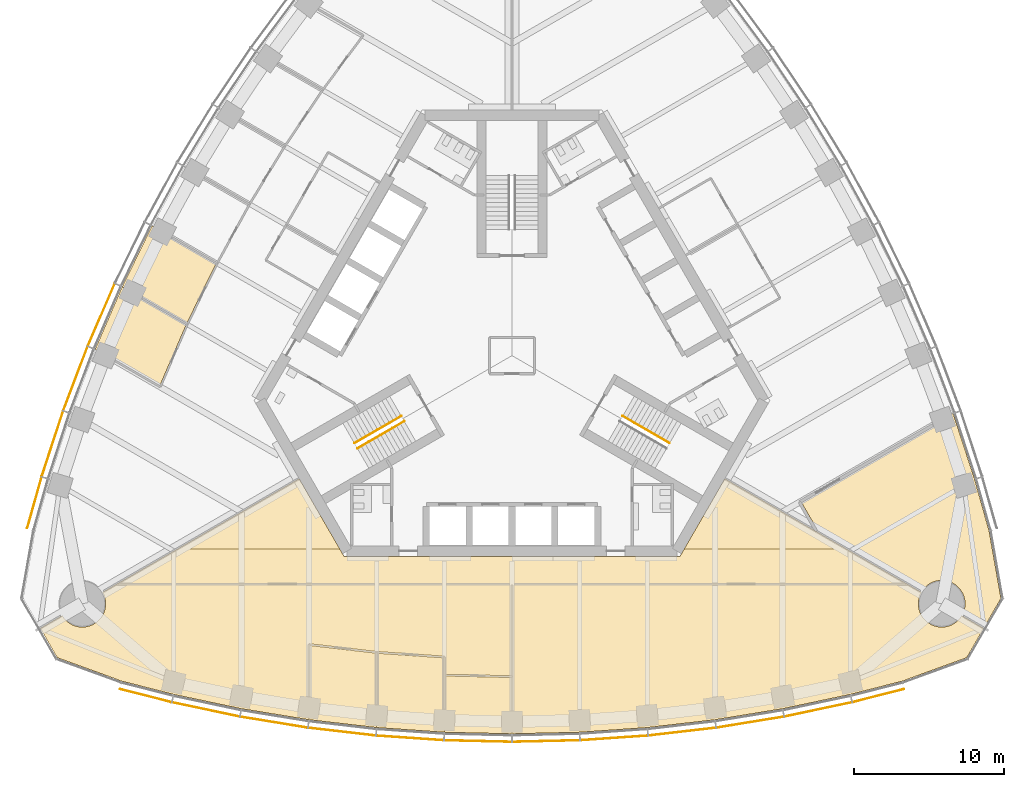
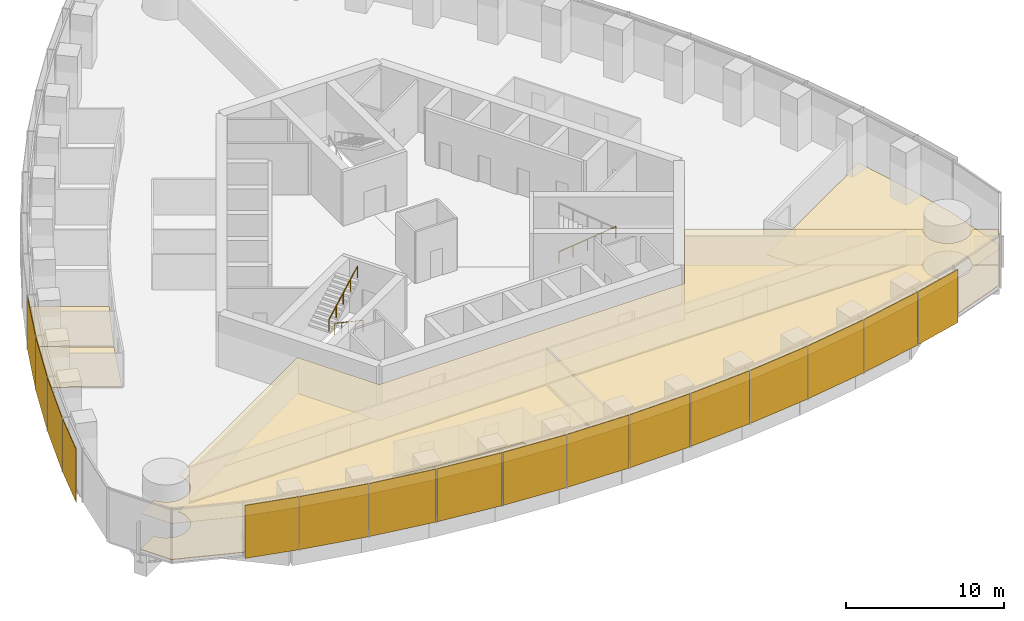
# One storey, part 15 of 19: 16 shading devices, 12 coverings, 3 railings.
"""IFC4 building model written with IfcOpenShell, lengths in metres."""

from ifc_helpers import new_model, si_unit, direction, frame, origin, origin_2d, place, context, subcontext, project, spatial, polyline, rectangle, circle, outline, extrude, material, layer, layer_set, type_object, element, save


model = new_model("IFC4")

# Units and contexts
model_context = context("Model", 3, precision=1e-05, world=origin(), true_north=direction((0.0, 1.0)))
body_context = subcontext(model_context, "Body", "Model", "MODEL_VIEW")
ifc_project = project(units=[si_unit("LENGTHUNIT", "METRE"), si_unit("AREAUNIT", "SQUARE_METRE"), si_unit("VOLUMEUNIT", "CUBIC_METRE"), si_unit("PLANEANGLEUNIT", "RADIAN"), si_unit("MASSUNIT", "GRAM", prefix="KILO")], contexts=[model_context])

# Site, building, storey
site_placement = place(None, origin())
site = spatial("IfcSite", under=ifc_project, at=site_placement, CompositionType="ELEMENT")
building_placement = place(site_placement, origin())
building = spatial("IfcBuilding", under=site, at=building_placement, Name="Trefoil Bronze Tower", CompositionType="ELEMENT")
storey_placement = place(building_placement, frame((0.0, 0.0, 244.300048828125)))
storey = spatial("IfcBuildingStorey", under=building, at=storey_placement, Name="L56", CompositionType="ELEMENT", Elevation=244.300048828125)

# Shading devices
ifc_material_1 = material(Name="Perforated bronze sheet", Category="bronze")
ifc_layer_1 = layer(ifc_material_1, 0.0400390625)
ifc_layer_set_1 = layer_set([ifc_layer_1], Name="Bronze solar screen panel")
shading_device_type = type_object("IfcShadingDeviceType", Name="Bronze solar screen panel", PredefinedType="SHUTTER", material=ifc_layer_set_1)
shading_device_1_placement = place(storey_placement, frame((-24.360107421875, -22.614501953125, 0.0498046875), z_axis=(0.0, 0.0, 1.0), x_axis=(0.968934035393, -0.247319297786, 0.0)))
element("IfcShadingDevice", 1, at=shading_device_1_placement, inside=storey, type_object=shading_device_type, Name="Solar screen CW-A L56 F1 bay 1", PredefinedType="SHUTTER", context=body_context, shape_type="SweptSolid", body=[
    extrude(rectangle(XDim=3.53369140625, YDim=0.0400390625, at=origin_2d()), origin(), (0.0, 0.0, 1.0), 4.10009765625),
])
shading_device_2_placement = place(storey_placement, frame((-20.361572265625, -23.535888671875, 0.0498046875), z_axis=(0.0, 0.0, 1.0), x_axis=(0.978394335897, -0.20674748725, 0.0)))
element("IfcShadingDevice", 2, at=shading_device_2_placement, inside=storey, type_object=shading_device_type, Name="Solar screen CW-A L56 F1 bay 2", PredefinedType="SHUTTER", context=body_context, shape_type="SweptSolid", body=[
    extrude(rectangle(XDim=4.5693359375, YDim=0.0400390625, at=origin_2d()), origin(), (0.0, 0.0, 1.0), 4.10009765625),
])
shading_device_3_placement = place(storey_placement, frame((-15.8369140625, -24.382568359375, 0.0498046875), z_axis=(0.0, 0.0, 1.0), x_axis=(0.986986549528, -0.160802832848, 0.0)))
element("IfcShadingDevice", 3, at=shading_device_3_placement, inside=storey, type_object=shading_device_type, Name="Solar screen CW-A L56 F1 bay 3", PredefinedType="SHUTTER", context=body_context, shape_type="SweptSolid", body=[
    extrude(rectangle(XDim=4.529296875, YDim=0.0400390625, at=origin_2d()), origin(), (0.0, 0.0, 1.0), 4.10009765625),
])
shading_device_4_placement = place(storey_placement, frame((-11.31201171875, -25.0126953125, 0.0498046875), z_axis=(0.0, 0.0, 1.0), x_axis=(0.993381831741, -0.114858767043, 0.0)))
element("IfcShadingDevice", 4, at=shading_device_4_placement, inside=storey, type_object=shading_device_type, Name="Solar screen CW-A L56 F1 bay 4", PredefinedType="SHUTTER", context=body_context, shape_type="SweptSolid", body=[
    extrude(rectangle(XDim=4.5, YDim=0.0400390625, at=origin_2d()), origin(), (0.0, 0.0, 1.0), 4.10009765625),
])
shading_device_5_placement = place(storey_placement, frame((-6.787109375, -25.430419921875, 0.0498046875), z_axis=(0.0, 0.0, 1.0), x_axis=(0.99762252804, -0.068915103905, 0.0)))
element("IfcShadingDevice", 5, at=shading_device_5_placement, inside=storey, type_object=shading_device_type, Name="Solar screen CW-A L56 F1 bay 5", PredefinedType="SHUTTER", context=body_context, shape_type="SweptSolid", body=[
    extrude(rectangle(XDim=4.480712890625, YDim=0.0400390625, at=origin_2d()), origin(), (0.0, 0.0, 1.0), 4.10009765625),
])
for number, where, z_axis, x_axis, name in (
    (6, (-2.262451171875, -25.638671875, 0.0498046875), (0.0, 0.0, 1.0), (0.999736116243, -0.022971675577, 0.0), "Solar screen CW-A L56 F1 bay 6"),
    (7, (2.262451171875, -25.638671875, 0.0498046875), (0.0, 0.0, 1.0), (0.999736116243, 0.022971675577, 0.0), "Solar screen CW-A L56 F1 bay 7"),
):
    element("IfcShadingDevice", number, at=place(storey_placement, frame(where, z_axis=z_axis, x_axis=x_axis)), inside=storey, type_object=shading_device_type, Name=name, PredefinedType="SHUTTER", context=body_context, shape_type="SweptSolid", body=[
        extrude(rectangle(XDim=4.47119140625, YDim=0.0400390625, at=origin_2d()), origin(), (0.0, 0.0, 1.0), 4.10009765625),
    ])
shading_device_6_placement = place(storey_placement, frame((6.787109375, -25.430419921875, 0.0498046875), z_axis=(0.0, 0.0, 1.0), x_axis=(0.99762252804, 0.068915103905, 0.0)))
element("IfcShadingDevice", 8, at=shading_device_6_placement, inside=storey, type_object=shading_device_type, Name="Solar screen CW-A L56 F1 bay 8", PredefinedType="SHUTTER", context=body_context, shape_type="SweptSolid", body=[
    extrude(rectangle(XDim=4.480712890625, YDim=0.0400390625, at=origin_2d()), origin(), (0.0, 0.0, 1.0), 4.10009765625),
])
shading_device_7_placement = place(storey_placement, frame((11.31201171875, -25.0126953125, 0.0498046875), z_axis=(0.0, 0.0, 1.0), x_axis=(0.993381831741, 0.114858767043, 0.0)))
element("IfcShadingDevice", 9, at=shading_device_7_placement, inside=storey, type_object=shading_device_type, Name="Solar screen CW-A L56 F1 bay 9", PredefinedType="SHUTTER", context=body_context, shape_type="SweptSolid", body=[
    extrude(rectangle(XDim=4.5, YDim=0.0400390625, at=origin_2d()), origin(), (0.0, 0.0, 1.0), 4.10009765625),
])
shading_device_8_placement = place(storey_placement, frame((15.8369140625, -24.382568359375, 0.0498046875), z_axis=(0.0, 0.0, 1.0), x_axis=(0.986986549528, 0.160802832848, 0.0)))
element("IfcShadingDevice", 10, at=shading_device_8_placement, inside=storey, type_object=shading_device_type, Name="Solar screen CW-A L56 F1 bay 10", PredefinedType="SHUTTER", context=body_context, shape_type="SweptSolid", body=[
    extrude(rectangle(XDim=4.529296875, YDim=0.0400390625, at=origin_2d()), origin(), (0.0, 0.0, 1.0), 4.10009765625),
])
shading_device_9_placement = place(storey_placement, frame((20.361572265625, -23.535888671875, 0.0498046875), z_axis=(0.0, 0.0, 1.0), x_axis=(0.978394335897, 0.20674748725, 0.0)))
element("IfcShadingDevice", 11, at=shading_device_9_placement, inside=storey, type_object=shading_device_type, Name="Solar screen CW-A L56 F1 bay 11", PredefinedType="SHUTTER", context=body_context, shape_type="SweptSolid", body=[
    extrude(rectangle(XDim=4.5693359375, YDim=0.0400390625, at=origin_2d()), origin(), (0.0, 0.0, 1.0), 4.10009765625),
])
shading_device_10_placement = place(storey_placement, frame((24.360107421875, -22.614501953125, 0.0498046875), z_axis=(0.0, 0.0, 1.0), x_axis=(0.968934035393, 0.247319297786, 0.0)))
element("IfcShadingDevice", 12, at=shading_device_10_placement, inside=storey, type_object=shading_device_type, Name="Solar screen CW-A L56 F1 bay 12", PredefinedType="SHUTTER", context=body_context, shape_type="SweptSolid", body=[
    extrude(rectangle(XDim=3.53369140625, YDim=0.0400390625, at=origin_2d()), origin(), (0.0, 0.0, 1.0), 4.10009765625),
])
shading_device_11_placement = place(storey_placement, frame((-27.317626953125, 2.709716796875, 0.0498046875), z_axis=(0.0, 0.0, 1.0), x_axis=(-0.397220305764, -0.917723285467, 0.0)))
element("IfcShadingDevice", 13, at=shading_device_11_placement, inside=storey, type_object=shading_device_type, Name="Solar screen CW-A L56 F3 bay 9", PredefinedType="SHUTTER", context=body_context, shape_type="SweptSolid", body=[
    extrude(rectangle(XDim=4.5, YDim=0.0400390625, at=origin_2d()), origin(), (0.0, 0.0, 1.0), 4.10009765625),
])
shading_device_12_placement = place(storey_placement, frame((-29.0341796875, -1.52392578125, 0.0498046875), z_axis=(0.0, 0.0, 1.0), x_axis=(-0.354233936517, -0.935156841508, 0.0)))
element("IfcShadingDevice", 14, at=shading_device_12_placement, inside=storey, type_object=shading_device_type, Name="Solar screen CW-A L56 F3 bay 10", PredefinedType="SHUTTER", context=body_context, shape_type="SweptSolid", body=[
    extrude(rectangle(XDim=4.529296875, YDim=0.0400390625, at=origin_2d()), origin(), (0.0, 0.0, 1.0), 4.10009765625),
])
shading_device_13_placement = place(storey_placement, frame((-30.5634765625, -5.86572265625, 0.0498046875), z_axis=(0.0, 0.0, 1.0), x_axis=(-0.310148591821, -0.950688093431, 0.0)))
element("IfcShadingDevice", 15, at=shading_device_13_placement, inside=storey, type_object=shading_device_type, Name="Solar screen CW-A L56 F3 bay 11", PredefinedType="SHUTTER", context=body_context, shape_type="SweptSolid", body=[
    extrude(rectangle(XDim=4.5693359375, YDim=0.0400390625, at=origin_2d()), origin(), (0.0, 0.0, 1.0), 4.10009765625),
])
shading_device_14_placement = place(storey_placement, frame((-31.764892578125, -9.7890625, 0.0498046875), z_axis=(0.0, 0.0, 1.0), x_axis=(-0.270282222968, -0.962781138134, 0.0)))
element("IfcShadingDevice", 16, at=shading_device_14_placement, inside=storey, type_object=shading_device_type, Name="Solar screen CW-A L56 F3 bay 12", PredefinedType="SHUTTER", context=body_context, shape_type="SweptSolid", body=[
    extrude(rectangle(XDim=3.53369140625, YDim=0.0400390625, at=origin_2d()), origin(), (0.0, 0.0, 1.0), 4.10009765625),
])

# Railings
ifc_material_2 = material(Name="Steel handrail", Category="steel")
railing_type = type_object("IfcRailingType", Name="Handrail 900", PredefinedType="HANDRAIL", material=ifc_material_2)
railing_1_placement = place(storey_placement, frame((7.365966796875, -4.021728515625, 0.161376953125)))
element("IfcRailing", 17, at=railing_1_placement, inside=storey, type_object=railing_type, Name="Handrail ST1 flight 1 L56", PredefinedType="HANDRAIL", context=body_context, shape_type="SweptSolid", body=[
    extrude(circle(Radius=0.02392578125, at=origin_2d()), frame((0.0, 0.0, 0.8759765625), z_axis=(0.76250339821, -0.440245697338, 0.474101564745), x_axis=(0.500012057535, 0.866018442252, 0.0)), (0.0, 0.0, 1.0), 4.088623046875),
    extrude(circle(Radius=0.02099609375, at=origin_2d()), origin(), (0.0, 0.0, 1.0), 0.851806640625),
    extrude(circle(Radius=0.02099609375, at=origin_2d()), frame((0.779296875, -0.449951171875, 0.484619140625)), (0.0, 0.0, 1.0), 0.851806640625),
    extrude(circle(Radius=0.02099609375, at=origin_2d()), frame((1.558837890625, -0.89990234375, 0.96923828125)), (0.0, 0.0, 1.0), 0.851806640625),
    extrude(circle(Radius=0.02099609375, at=origin_2d()), frame((2.33837890625, -1.35009765625, 1.453857421875)), (0.0, 0.0, 1.0), 0.851806640625),
    extrude(circle(Radius=0.02099609375, at=origin_2d()), frame((3.11767578125, -1.800048828125, 1.9384765625)), (0.0, 0.0, 1.0), 0.851806640625),
])
railing_2_placement = place(storey_placement, frame((-7.166015625, -4.3681640625, 0.161376953125)))
element("IfcRailing", 18, at=railing_2_placement, inside=storey, type_object=railing_type, Name="Handrail ST3 flight 1 L56", PredefinedType="HANDRAIL", context=body_context, shape_type="SweptSolid", body=[
    extrude(circle(Radius=0.02392578125, at=origin_2d()), frame((0.0, 0.0, 0.8759765625), z_axis=(-0.76250339821, -0.440245697338, 0.474101564745), x_axis=(0.500012057535, -0.866018442252, 0.0)), (0.0, 0.0, 1.0), 4.088623046875),
    extrude(circle(Radius=0.02099609375, at=origin_2d()), origin(), (0.0, 0.0, 1.0), 0.851806640625),
    extrude(circle(Radius=0.02099609375, at=origin_2d()), frame((-0.779296875, -0.449951171875, 0.484619140625)), (0.0, 0.0, 1.0), 0.851806640625),
    extrude(circle(Radius=0.02099609375, at=origin_2d()), frame((-1.558837890625, -0.89990234375, 0.96923828125)), (0.0, 0.0, 1.0), 0.851806640625),
    extrude(circle(Radius=0.02099609375, at=origin_2d()), frame((-2.33837890625, -1.35009765625, 1.453857421875)), (0.0, 0.0, 1.0), 0.851806640625),
    extrude(circle(Radius=0.02099609375, at=origin_2d()), frame((-3.11767578125, -1.800048828125, 1.9384765625)), (0.0, 0.0, 1.0), 0.851806640625),
])
railing_3_placement = place(storey_placement, frame((-10.483642578125, -5.82177734375, 2.261474609375)))
element("IfcRailing", 19, at=railing_3_placement, inside=storey, type_object=railing_type, Name="Handrail ST3 flight 2 L56", PredefinedType="HANDRAIL", context=body_context, shape_type="SweptSolid", body=[
    extrude(circle(Radius=0.02392578125, at=origin_2d()), frame((0.0, 0.0, 0.8759765625), z_axis=(0.76250339821, 0.440245697338, 0.474101564745), x_axis=(-0.500012057535, 0.866018442252, 0.0)), (0.0, 0.0, 1.0), 4.088623046875),
    extrude(circle(Radius=0.02099609375, at=origin_2d()), origin(), (0.0, 0.0, 1.0), 0.851806640625),
    extrude(circle(Radius=0.02099609375, at=origin_2d()), frame((0.779296875, 0.449951171875, 0.484619140625)), (0.0, 0.0, 1.0), 0.851806640625),
    extrude(circle(Radius=0.02099609375, at=origin_2d()), frame((1.558837890625, 0.89990234375, 0.96923828125)), (0.0, 0.0, 1.0), 0.851806640625),
    extrude(circle(Radius=0.02099609375, at=origin_2d()), frame((2.33837890625, 1.35009765625, 1.453857421875)), (0.0, 0.0, 1.0), 0.851806640625),
    extrude(circle(Radius=0.02099609375, at=origin_2d()), frame((3.11767578125, 1.800048828125, 1.9384765625)), (0.0, 0.0, 1.0), 0.851806640625),
])

# Coverings
ifc_material_3 = material(Name="Acoustic ceiling panels", Category="mineral fibre")
ifc_layer_2 = layer(ifc_material_3, 0.02001953125)
ifc_layer_set_2 = layer_set([ifc_layer_2], Name="Office ceiling 20")
covering_type_1 = type_object("IfcCoveringType", Name="Office ceiling 20", PredefinedType="CEILING", material=ifc_layer_set_2)
covering_1_placement = place(storey_placement, frame((0.0, 0.0, 2.89990234375)))
element("IfcCovering", 20, at=covering_1_placement, inside=storey, type_object=covering_type_1, Name="Ceiling L56 Open-plan office F1", PredefinedType="CEILING", context=body_context, shape_type="SweptSolid", body=[
    extrude(outline(polyline([(-29.86767578125, -17.361083984375), (-29.82373046875, -17.42333984375), (-29.777099609375, -17.4833984375), (-29.727294921875, -17.541015625), (-29.6748046875, -17.595947265625), (-29.619873046875, -17.6484375), (-29.56201171875, -17.6982421875), (-29.502197265625, -17.7451171875), (-29.43994140625, -17.788818359375), (-29.375732421875, -17.82958984375), (-29.3095703125, -17.866943359375), (-29.241455078125, -17.901123046875), (-29.172119140625, -17.931884765625), (-29.10107421875, -17.95947265625), (-29.02880859375, -17.9833984375), (-28.95556640625, -18.00341796875), (-28.881103515625, -18.020263671875), (-28.806396484375, -18.033203125), (-28.730712890625, -18.04248046875), (-28.65478515625, -18.048095703125), (-28.578857421875, -18.050048828125), (-28.502685546875, -18.048095703125), (-28.427001953125, -18.04248046875), (-28.351318359375, -18.033203125), (-28.2763671875, -18.020263671875), (-28.2021484375, -18.00341796875), (-28.12890625, -17.9833984375), (-28.056640625, -17.95947265625), (-27.985595703125, -17.931884765625), (-27.916015625, -17.901123046875), (-27.84814453125, -17.866943359375), (-27.781982421875, -17.82958984375), (-27.7177734375, -17.788818359375), (-27.655517578125, -17.7451171875), (-27.595458984375, -17.6982421875), (-27.537841796875, -17.6484375), (-27.48291015625, -17.595947265625), (-27.430419921875, -17.541015625), (-27.380615234375, -17.4833984375), (-27.333984375, -17.42333984375), (-27.2900390625, -17.361083984375), (-27.24951171875, -17.296875), (-27.2119140625, -17.230712890625), (-27.177734375, -17.16259765625), (-27.146728515625, -17.09326171875), (-27.119384765625, -17.022216796875), (-27.095703125, -16.949951171875), (-27.0751953125, -16.876708984375), (-27.05859375, -16.802490234375), (-27.045654296875, -16.727294921875), (-27.036376953125, -16.65185546875), (-27.03076171875, -16.576171875), (-27.02880859375, -16.5), (-27.03076171875, -16.423828125), (-27.036376953125, -16.34814453125), (-27.045654296875, -16.272705078125), (-27.05859375, -16.197509765625), (-27.0751953125, -16.123291015625), (-27.095703125, -16.050048828125), (-27.119384765625, -15.977783203125), (-27.146728515625, -15.90673828125), (-27.177734375, -15.83740234375), (-27.2119140625, -15.769287109375), (-27.23095703125, -15.735595703125), (-14.156494140625, -8.180419921875), (-11.171630859375, -13.35009765625), (11.171630859375, -13.35009765625), (14.156494140625, -8.180419921875), (27.23095703125, -15.735595703125), (27.2119140625, -15.769287109375), (27.177734375, -15.83740234375), (27.146728515625, -15.90673828125), (27.119384765625, -15.977783203125), (27.095703125, -16.050048828125), (27.0751953125, -16.123291015625), (27.05859375, -16.197509765625), (27.045654296875, -16.272705078125), (27.036376953125, -16.34814453125), (27.03076171875, -16.423828125), (27.02880859375, -16.5), (27.03076171875, -16.576171875), (27.036376953125, -16.65185546875), (27.045654296875, -16.727294921875), (27.05859375, -16.802490234375), (27.0751953125, -16.876708984375), (27.095703125, -16.949951171875), (27.119384765625, -17.022216796875), (27.146728515625, -17.09326171875), (27.177734375, -17.16259765625), (27.2119140625, -17.230712890625), (27.24951171875, -17.296875), (27.2900390625, -17.361083984375), (27.333984375, -17.42333984375), (27.380615234375, -17.4833984375), (27.430419921875, -17.541015625), (27.48291015625, -17.595947265625), (27.537841796875, -17.6484375), (27.595458984375, -17.6982421875), (27.655517578125, -17.7451171875), (27.7177734375, -17.788818359375), (27.781982421875, -17.82958984375), (27.84814453125, -17.866943359375), (27.916015625, -17.901123046875), (27.985595703125, -17.931884765625), (28.056640625, -17.95947265625), (28.12890625, -17.9833984375), (28.2021484375, -18.00341796875), (28.2763671875, -18.020263671875), (28.351318359375, -18.033203125), (28.427001953125, -18.04248046875), (28.502685546875, -18.048095703125), (28.578857421875, -18.050048828125), (28.65478515625, -18.048095703125), (28.730712890625, -18.04248046875), (28.806396484375, -18.033203125), (28.881103515625, -18.020263671875), (28.95556640625, -18.00341796875), (29.02880859375, -17.9833984375), (29.10107421875, -17.95947265625), (29.172119140625, -17.931884765625), (29.241455078125, -17.901123046875), (29.3095703125, -17.866943359375), (29.375732421875, -17.82958984375), (29.43994140625, -17.788818359375), (29.502197265625, -17.7451171875), (29.56201171875, -17.6982421875), (29.619873046875, -17.6484375), (29.6748046875, -17.595947265625), (29.727294921875, -17.541015625), (29.777099609375, -17.4833984375), (29.82373046875, -17.42333984375), (29.86767578125, -17.361083984375), (29.914306640625, -17.2861328125), (31.37158203125, -18.1279296875), (30.23828125, -20.0908203125), (25.952880859375, -21.650634765625), (22.5, -22.531982421875), (18.0, -23.48291015625), (13.5, -24.216064453125), (9.0, -24.736328125), (4.5, -25.047119140625), (0.0, -25.150634765625), (-4.5, -25.047119140625), (-9.0, -24.736328125), (-13.5, -24.216064453125), (-18.0, -23.48291015625), (-22.5, -22.531982421875), (-25.952880859375, -21.650634765625), (-30.23828125, -20.0908203125), (-31.37158203125, -18.1279296875), (-29.914306640625, -17.2861328125), (-29.86767578125, -17.361083984375)])), origin(), (0.0, 0.0, 1.0), 0.02001953125),
])
ifc_material_4 = material(Name="Raised access floor panels", Category="steel")
ifc_layer_3 = layer(ifc_material_4, 0.050048828125)
ifc_layer_set_3 = layer_set([ifc_layer_3], Name="Raised access floor 150")
covering_type_2 = type_object("IfcCoveringType", Name="Raised access floor 150", PredefinedType="FLOORING", material=ifc_layer_set_3)
covering_2_placement = place(storey_placement, frame((0.0, 0.0, 0.099853515625)))
element("IfcCovering", 21, at=covering_2_placement, inside=storey, type_object=covering_type_2, Name="Raised floor L56 Meeting room F1", PredefinedType="FLOORING", context=body_context, shape_type="SweptSolid", body=[
    extrude(outline(polyline([(-9.0, -24.736328125), (-13.5, -24.216064453125), (-13.5, -22.67138671875), (-13.43994140625, -22.67138671875), (-13.43994140625, -19.283447265625), (-9.06005859375, -19.789794921875), (-9.06005859375, -23.199951171875), (-9.0, -23.199951171875), (-9.0, -24.736328125)])), origin(), (0.0, 0.0, 1.0), 0.050048828125),
])
covering_3_placement = place(storey_placement, frame((0.0, 0.0, 0.099853515625)))
element("IfcCovering", 22, at=covering_3_placement, inside=storey, type_object=covering_type_2, Name="Raised floor L56 Meeting room F1", PredefinedType="FLOORING", context=body_context, shape_type="SweptSolid", body=[
    extrude(outline(polyline([(-4.5, -25.047119140625), (-9.0, -24.736328125), (-9.0, -23.199951171875), (-8.93994140625, -23.199951171875), (-8.93994140625, -19.80078125), (-4.56005859375, -20.103271484375), (-4.56005859375, -23.515625), (-4.5, -23.515625), (-4.5, -25.047119140625)])), origin(), (0.0, 0.0, 1.0), 0.050048828125),
])
covering_4_placement = place(storey_placement, frame((0.0, 0.0, 0.099853515625)))
element("IfcCovering", 23, at=covering_4_placement, inside=storey, type_object=covering_type_2, Name="Raised floor L56 Pantry F1", PredefinedType="FLOORING", context=body_context, shape_type="SweptSolid", body=[
    extrude(outline(polyline([(0.0, -25.150634765625), (-4.5, -25.047119140625), (-4.5, -23.515625), (-4.43994140625, -23.515625), (-4.43994140625, -21.30859375), (-0.074951171875, -21.408935546875), (-0.074951171875, -23.62060546875), (0.0, -23.62060546875), (0.0, -25.150634765625)])), origin(), (0.0, 0.0, 1.0), 0.050048828125),
])
covering_5_placement = place(storey_placement, frame((0.0, 0.0, 0.099853515625)))
element("IfcCovering", 24, at=covering_5_placement, inside=storey, type_object=covering_type_2, Name="Raised floor L56 Corridor F1", PredefinedType="FLOORING", context=body_context, shape_type="SweptSolid", body=[
    extrude(outline(polyline([(-26.218017578125, -15.14990234375), (-22.237548828125, -12.85009765625), (-11.46044921875, -12.85009765625), (-11.171630859375, -13.35009765625), (11.171630859375, -13.35009765625), (11.46044921875, -12.85009765625), (22.237548828125, -12.85009765625), (26.218017578125, -15.14990234375), (-26.218017578125, -15.14990234375)])), origin(), (0.0, 0.0, 1.0), 0.050048828125),
])
covering_6_placement = place(storey_placement, frame((0.0, 0.0, 0.099853515625)))
element("IfcCovering", 25, at=covering_6_placement, inside=storey, type_object=covering_type_2, Name="Raised floor L56 Open-plan office F1", PredefinedType="FLOORING", context=body_context, shape_type="SweptSolid", body=[
    extrude(outline(polyline([(13.5, -24.216064453125), (9.0, -24.736328125), (4.5, -25.047119140625), (0.0009765625, -25.150634765625), (0.0009765625, -23.62060546875), (0.074951171875, -23.62060546875), (0.074951171875, -15.27001953125), (26.311767578125, -15.27001953125), (26.311767578125, -15.2041015625), (27.23095703125, -15.735595703125), (27.2119140625, -15.769287109375), (27.177734375, -15.83740234375), (27.146728515625, -15.90673828125), (27.119384765625, -15.977783203125), (27.095703125, -16.050048828125), (27.0751953125, -16.123291015625), (27.05859375, -16.197509765625), (27.045654296875, -16.272705078125), (27.036376953125, -16.34814453125), (27.03076171875, -16.423828125), (27.02880859375, -16.5), (27.03076171875, -16.576171875), (27.036376953125, -16.65185546875), (27.045654296875, -16.727294921875), (27.05859375, -16.802490234375), (27.0751953125, -16.876708984375), (27.095703125, -16.949951171875), (27.119384765625, -17.022216796875), (27.146728515625, -17.09326171875), (27.177734375, -17.16259765625), (27.2119140625, -17.230712890625), (27.24951171875, -17.296875), (27.2900390625, -17.361083984375), (27.333984375, -17.42333984375), (27.380615234375, -17.4833984375), (27.430419921875, -17.541015625), (27.48291015625, -17.595947265625), (27.537841796875, -17.6484375), (27.595458984375, -17.6982421875), (27.655517578125, -17.7451171875), (27.7177734375, -17.788818359375), (27.781982421875, -17.82958984375), (27.84814453125, -17.866943359375), (27.916015625, -17.901123046875), (27.985595703125, -17.931884765625), (28.056640625, -17.95947265625), (28.12890625, -17.9833984375), (28.2021484375, -18.00341796875), (28.2763671875, -18.020263671875), (28.351318359375, -18.033203125), (28.427001953125, -18.04248046875), (28.502685546875, -18.048095703125), (28.578857421875, -18.050048828125), (28.65478515625, -18.048095703125), (28.730712890625, -18.04248046875), (28.806396484375, -18.033203125), (28.881103515625, -18.020263671875), (28.95556640625, -18.00341796875), (29.02880859375, -17.9833984375), (29.10107421875, -17.95947265625), (29.172119140625, -17.931884765625), (29.241455078125, -17.901123046875), (29.3095703125, -17.866943359375), (29.375732421875, -17.82958984375), (29.43994140625, -17.788818359375), (29.502197265625, -17.7451171875), (29.56201171875, -17.6982421875), (29.619873046875, -17.6484375), (29.6748046875, -17.595947265625), (29.727294921875, -17.541015625), (29.777099609375, -17.4833984375), (29.82373046875, -17.42333984375), (29.86767578125, -17.361083984375), (29.914306640625, -17.2861328125), (31.37158203125, -18.1279296875), (30.23828125, -20.0908203125), (25.952880859375, -21.650634765625), (22.5, -22.531982421875), (18.0, -23.48291015625), (13.5, -24.216064453125)])), origin(), (0.0, 0.0, 1.0), 0.050048828125),
])
covering_7_placement = place(storey_placement, frame((0.0, 0.0, 0.099853515625)))
element("IfcCovering", 26, at=covering_7_placement, inside=storey, type_object=covering_type_2, Name="Raised floor L56 Open-plan office F1", PredefinedType="FLOORING", context=body_context, shape_type="SweptSolid", body=[
    extrude(outline(polyline([(-27.146728515625, -15.90673828125), (-27.177734375, -15.83740234375), (-27.2119140625, -15.769287109375), (-27.23095703125, -15.735595703125), (-26.311767578125, -15.2041015625), (-26.311767578125, -15.27001953125), (-0.074951171875, -15.27001953125), (-0.074951171875, -21.288818359375), (-4.43994140625, -21.188720703125), (-4.43994140625, -20.047119140625), (-4.5, -20.047119140625), (-4.495849609375, -19.9873046875), (-8.994384765625, -19.676513671875), (-13.4931640625, -19.156494140625), (-13.5, -19.216064453125), (-13.56005859375, -19.216064453125), (-13.56005859375, -22.67138671875), (-13.5, -22.67138671875), (-13.5, -24.216064453125), (-18.0, -23.48291015625), (-22.5, -22.531982421875), (-25.952880859375, -21.650634765625), (-30.23828125, -20.0908203125), (-31.37158203125, -18.1279296875), (-29.914306640625, -17.2861328125), (-29.86767578125, -17.361083984375), (-29.82373046875, -17.42333984375), (-29.777099609375, -17.4833984375), (-29.727294921875, -17.541015625), (-29.6748046875, -17.595947265625), (-29.619873046875, -17.6484375), (-29.56201171875, -17.6982421875), (-29.502197265625, -17.7451171875), (-29.43994140625, -17.788818359375), (-29.375732421875, -17.82958984375), (-29.3095703125, -17.866943359375), (-29.241455078125, -17.901123046875), (-29.172119140625, -17.931884765625), (-29.10107421875, -17.95947265625), (-29.02880859375, -17.9833984375), (-28.95556640625, -18.00341796875), (-28.881103515625, -18.020263671875), (-28.806396484375, -18.033203125), (-28.730712890625, -18.04248046875), (-28.65478515625, -18.048095703125), (-28.578857421875, -18.050048828125), (-28.502685546875, -18.048095703125), (-28.427001953125, -18.04248046875), (-28.351318359375, -18.033203125), (-28.2763671875, -18.020263671875), (-28.2021484375, -18.00341796875), (-28.12890625, -17.9833984375), (-28.056640625, -17.95947265625), (-27.985595703125, -17.931884765625), (-27.916015625, -17.901123046875), (-27.84814453125, -17.866943359375), (-27.781982421875, -17.82958984375), (-27.7177734375, -17.788818359375), (-27.655517578125, -17.7451171875), (-27.595458984375, -17.6982421875), (-27.537841796875, -17.6484375), (-27.48291015625, -17.595947265625), (-27.430419921875, -17.541015625), (-27.380615234375, -17.4833984375), (-27.333984375, -17.42333984375), (-27.2900390625, -17.361083984375), (-27.24951171875, -17.296875), (-27.2119140625, -17.230712890625), (-27.177734375, -17.16259765625), (-27.146728515625, -17.09326171875), (-27.119384765625, -17.022216796875), (-27.095703125, -16.949951171875), (-27.0751953125, -16.876708984375), (-27.05859375, -16.802490234375), (-27.045654296875, -16.727294921875), (-27.036376953125, -16.65185546875), (-27.03076171875, -16.576171875), (-27.02880859375, -16.5), (-27.03076171875, -16.423828125), (-27.036376953125, -16.34814453125), (-27.045654296875, -16.272705078125), (-27.05859375, -16.197509765625), (-27.0751953125, -16.123291015625), (-27.095703125, -16.050048828125), (-27.119384765625, -15.977783203125), (-27.146728515625, -15.90673828125)])), origin(), (0.0, 0.0, 1.0), 0.050048828125),
])
covering_8_placement = place(storey_placement, frame((0.0, 0.0, 0.099853515625)))
element("IfcCovering", 27, at=covering_8_placement, inside=storey, type_object=covering_type_2, Name="Raised floor L56 Open-plan office F1", PredefinedType="FLOORING", context=body_context, shape_type="SweptSolid", body=[
    extrude(outline(polyline([(14.156494140625, -8.180419921875), (22.237548828125, -12.85009765625), (11.46044921875, -12.85009765625), (14.156494140625, -8.180419921875)])), origin(), (0.0, 0.0, 1.0), 0.050048828125),
])
covering_9_placement = place(storey_placement, frame((0.0, 0.0, 0.099853515625)))
element("IfcCovering", 28, at=covering_9_placement, inside=storey, type_object=covering_type_2, Name="Raised floor L56 Open-plan office F1", PredefinedType="FLOORING", context=body_context, shape_type="SweptSolid", body=[
    extrude(outline(polyline([(-22.237548828125, -12.85009765625), (-14.156494140625, -8.180419921875), (-11.46044921875, -12.85009765625), (-22.237548828125, -12.85009765625)])), origin(), (0.0, 0.0, 1.0), 0.050048828125),
])
covering_10_placement = place(storey_placement, frame((0.0, 0.0, 0.099853515625)))
element("IfcCovering", 29, at=covering_10_placement, inside=storey, type_object=covering_type_2, Name="Raised floor L56 Boardroom F2", PredefinedType="FLOORING", context=body_context, shape_type="SweptSolid", body=[
    extrude(outline(polyline([(27.24267578125, -15.71484375), (20.239013671875, -11.6748046875), (20.325439453125, -11.624755859375), (19.260498046875, -9.780029296875), (28.0390625, -4.7119140625), (27.989013671875, -4.625244140625), (29.3369140625, -3.846923828125), (30.76318359375, -8.219482421875), (31.7265625, -11.650634765625), (32.518310546875, -16.1416015625), (31.385009765625, -18.1044921875), (29.92724609375, -17.263427734375), (29.94580078125, -17.230712890625), (29.97998046875, -17.16259765625), (30.010986328125, -17.09326171875), (30.0380859375, -17.022216796875), (30.06201171875, -16.949951171875), (30.08251953125, -16.876708984375), (30.09912109375, -16.802490234375), (30.112060546875, -16.727294921875), (30.121337890625, -16.65185546875), (30.126953125, -16.576171875), (30.12890625, -16.5), (30.126953125, -16.423828125), (30.121337890625, -16.34814453125), (30.112060546875, -16.272705078125), (30.09912109375, -16.197509765625), (30.08251953125, -16.123291015625), (30.06201171875, -16.050048828125), (30.0380859375, -15.977783203125), (30.010986328125, -15.90673828125), (29.97998046875, -15.83740234375), (29.94580078125, -15.769287109375), (29.908203125, -15.703125), (29.86767578125, -15.638916015625), (29.82373046875, -15.57666015625), (29.777099609375, -15.5166015625), (29.727294921875, -15.458984375), (29.6748046875, -15.404052734375), (29.619873046875, -15.3515625), (29.56201171875, -15.3017578125), (29.502197265625, -15.2548828125), (29.43994140625, -15.211181640625), (29.375732421875, -15.17041015625), (29.3095703125, -15.133056640625), (29.241455078125, -15.098876953125), (29.172119140625, -15.068115234375), (29.10107421875, -15.04052734375), (29.02880859375, -15.0166015625), (28.95556640625, -14.99658203125), (28.881103515625, -14.979736328125), (28.806396484375, -14.966796875), (28.730712890625, -14.95751953125), (28.65478515625, -14.951904296875), (28.578857421875, -14.949951171875), (28.502685546875, -14.951904296875), (28.427001953125, -14.95751953125), (28.351318359375, -14.966796875), (28.2763671875, -14.979736328125), (28.2021484375, -14.99658203125), (28.12890625, -15.0166015625), (28.056640625, -15.04052734375), (27.985595703125, -15.068115234375), (27.916015625, -15.098876953125), (27.84814453125, -15.133056640625), (27.781982421875, -15.17041015625), (27.7177734375, -15.211181640625), (27.655517578125, -15.2548828125), (27.595458984375, -15.3017578125), (27.537841796875, -15.3515625), (27.48291015625, -15.404052734375), (27.430419921875, -15.458984375), (27.380615234375, -15.5166015625), (27.333984375, -15.57666015625), (27.2900390625, -15.638916015625), (27.24267578125, -15.71484375)])), origin(), (0.0, 0.0, 1.0), 0.050048828125),
])
covering_11_placement = place(storey_placement, frame((0.0, 0.0, 0.099853515625)))
element("IfcCovering", 30, at=covering_11_placement, inside=storey, type_object=covering_type_2, Name="Raised floor L56 Office F3", PredefinedType="FLOORING", context=body_context, shape_type="SweptSolid", body=[
    extrude(outline(polyline([(-25.92236328125, 4.573974609375), (-23.94140625, 8.62646484375), (-22.614990234375, 7.860595703125), (-22.64501953125, 7.80859375), (-19.68994140625, 6.1025390625), (-21.617919921875, 2.158203125), (-24.561767578125, 3.857666015625), (-24.591796875, 3.8056640625), (-25.92236328125, 4.573974609375)])), origin(), (0.0, 0.0, 1.0), 0.050048828125),
])
covering_12_placement = place(storey_placement, frame((0.0, 0.0, 0.099853515625)))
element("IfcCovering", 31, at=covering_12_placement, inside=storey, type_object=covering_type_2, Name="Raised floor L56 Office F3", PredefinedType="FLOORING", context=body_context, shape_type="SweptSolid", body=[
    extrude(outline(polyline([(-27.7216796875, 0.416748046875), (-25.92236328125, 4.573974609375), (-24.591796875, 3.8056640625), (-24.62158203125, 3.75390625), (-21.66845703125, 2.048583984375), (-23.419921875, -1.997802734375), (-26.35400390625, -0.3037109375), (-26.384033203125, -0.355712890625), (-27.7216796875, 0.416748046875)])), origin(), (0.0, 0.0, 1.0), 0.050048828125),
])

save(model, "model.ifc")
